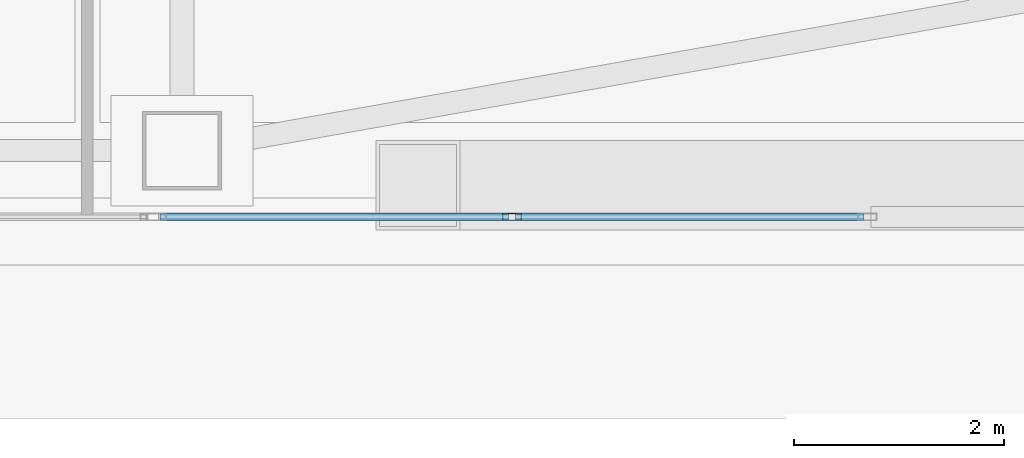
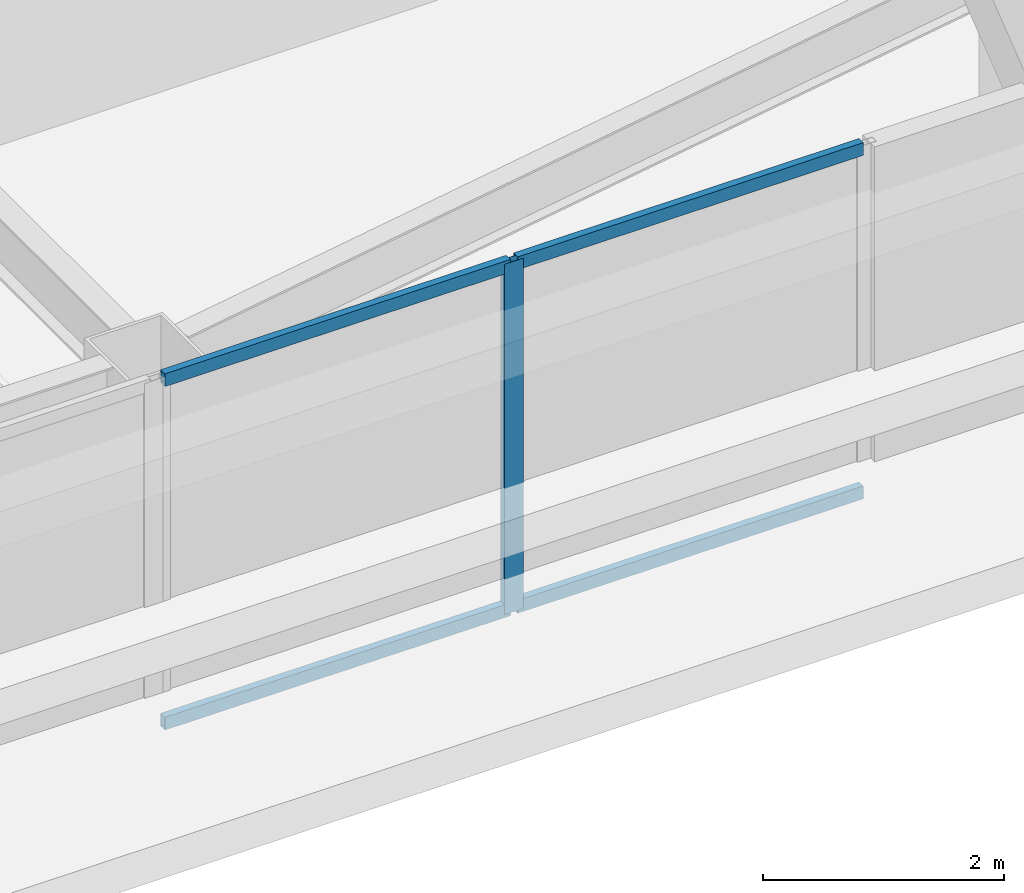
# One storey, part 9 of 65: 5 members, 1 element without a shape of its own.
"""IFC4 building model written with IfcOpenShell, lengths in metres."""

from ifc_helpers import new_model, si_unit, direction, frame, origin, origin_2d, place, context, subcontext, project, spatial, hollow_rectangle, extrude, material, material_profile, profile_set, type_object, element, aggregate, save


model = new_model("IFC4")

# Units and contexts
model_context = context("Model", 3, precision=1e-05, world=origin(), true_north=direction((0.0, 1.0)))
body_context = subcontext(model_context, "Body", "Model", "MODEL_VIEW")
ifc_project = project(units=[si_unit("LENGTHUNIT", "METRE"), si_unit("AREAUNIT", "SQUARE_METRE"), si_unit("VOLUMEUNIT", "CUBIC_METRE"), si_unit("PLANEANGLEUNIT", "RADIAN"), si_unit("MASSUNIT", "GRAM", prefix="KILO")], contexts=[model_context])

# Site, building, storey
site_placement = place(None, origin())
site = spatial("IfcSite", under=ifc_project, at=site_placement, CompositionType="ELEMENT")
building_placement = place(site_placement, origin())
building = spatial("IfcBuilding", under=site, at=building_placement, Name="Tashvorn Skyway Center", CompositionType="ELEMENT")
storey_placement = place(building_placement, frame((0.0, 0.0, 157.0)))
storey = spatial("IfcBuildingStorey", under=building, at=storey_placement, Name="L42", CompositionType="ELEMENT", Elevation=157.0)

# Curtain wall, members
ifc_material = material(Name="Thermally broken bronze-anodized aluminium 6063-T6", Category="aluminium")
curtain_wall_type = type_object("IfcCurtainWallType", Name="CW-CW-Z4", PredefinedType="NOTDEFINED", material=ifc_material)
curtain_wall_placement = place(storey_placement, origin())
curtain_wall = element("IfcCurtainWall", 1, at=curtain_wall_placement, inside=storey, type_object=curtain_wall_type, Name="Tower 1 L42 South Unitised Curtain Wall Glazing Group 1", PredefinedType="NOTDEFINED")
ifc_material_profile_1 = material_profile(ifc_material, hollow_rectangle(XDim=0.070068359375, YDim=0.179931640625, WallThickness=0.00390625, at=origin_2d()), Name="ALU-MULL-70x180")
ifc_profile_set_1 = profile_set([ifc_material_profile_1], Name="Thermally broken bronze-anodized aluminium 6063-T6")
member_type_1 = type_object("IfcMemberType", Name="CWM-CW-Z4", PredefinedType="MULLION", material=ifc_profile_set_1)
member_1_placement = place(storey_placement, frame((50.54443359375, 14.320068359375, 0.0), z_axis=(0.0, 0.0, 1.0), x_axis=(0.0, -1.0, 0.0)))
member_1 = element("IfcMember", 2, at=member_1_placement, type_object=member_type_1, Name="CW-Z4 mullion 2", PredefinedType="MULLION", context=body_context, shape_type="SweptSolid", body=[
    extrude(hollow_rectangle(XDim=0.070068359375, YDim=0.179931640625, WallThickness=0.00390625, at=origin_2d()), origin(), (0.0, 0.0, 1.0), 3.550048828125),
])
ifc_material_profile_2 = material_profile(ifc_material, hollow_rectangle(XDim=0.070068359375, YDim=0.1298828125, WallThickness=0.00390625, at=origin_2d()), Name="ALU-TRAN-70x130")
ifc_profile_set_2 = profile_set([ifc_material_profile_2], Name="Thermally broken bronze-anodized aluminium 6063-T6")
member_type_2 = type_object("IfcMemberType", Name="CWT-CW-Z4", PredefinedType="USERDEFINED", material=ifc_profile_set_2)
member_2_placement = place(storey_placement, frame((53.89208984375, 14.320068359375, 0.034912109375), z_axis=(-1.0, 0.0, 0.0), x_axis=(0.0, -1.0, 0.0)))
member_2 = element("IfcMember", 3, at=member_2_placement, type_object=member_type_2, Name="CW-Z4 transom 1.1", ObjectType="TRANSOM", PredefinedType="USERDEFINED", context=body_context, shape_type="SweptSolid", body=[
    extrude(hollow_rectangle(XDim=0.070068359375, YDim=0.1298828125, WallThickness=0.00390625, at=origin_2d()), origin(), (0.0, 0.0, 1.0), 3.312744140625),
])
member_3_placement = place(storey_placement, frame((53.89208984375, 14.320068359375, 3.514892578125), z_axis=(-1.0, 0.0, 0.0), x_axis=(0.0, -1.0, 0.0)))
member_3 = element("IfcMember", 4, at=member_3_placement, type_object=member_type_2, Name="CW-Z4 transom 1.2", ObjectType="TRANSOM", PredefinedType="USERDEFINED", context=body_context, shape_type="SweptSolid", body=[
    extrude(hollow_rectangle(XDim=0.070068359375, YDim=0.1298828125, WallThickness=0.00390625, at=origin_2d()), origin(), (0.0, 0.0, 1.0), 3.312744140625),
])
member_4_placement = place(storey_placement, frame((50.509521484375, 14.320068359375, 0.034912109375), z_axis=(-1.0, 0.0, 0.0), x_axis=(0.0, -1.0, 0.0)))
member_4 = element("IfcMember", 5, at=member_4_placement, type_object=member_type_2, Name="CW-Z4 transom 2.1", ObjectType="TRANSOM", PredefinedType="USERDEFINED", context=body_context, shape_type="SweptSolid", body=[
    extrude(hollow_rectangle(XDim=0.070068359375, YDim=0.1298828125, WallThickness=0.00390625, at=origin_2d()), origin(), (0.0, 0.0, 1.0), 3.312744140625),
])
member_5_placement = place(storey_placement, frame((50.509521484375, 14.320068359375, 3.514892578125), z_axis=(-1.0, 0.0, 0.0), x_axis=(0.0, -1.0, 0.0)))
member_5 = element("IfcMember", 6, at=member_5_placement, type_object=member_type_2, Name="CW-Z4 transom 2.2", ObjectType="TRANSOM", PredefinedType="USERDEFINED", context=body_context, shape_type="SweptSolid", body=[
    extrude(hollow_rectangle(XDim=0.070068359375, YDim=0.1298828125, WallThickness=0.00390625, at=origin_2d()), origin(), (0.0, 0.0, 1.0), 3.312744140625),
])
aggregate(curtain_wall, [member_1, member_2, member_3, member_4, member_5])

save(model, "model.ifc")
